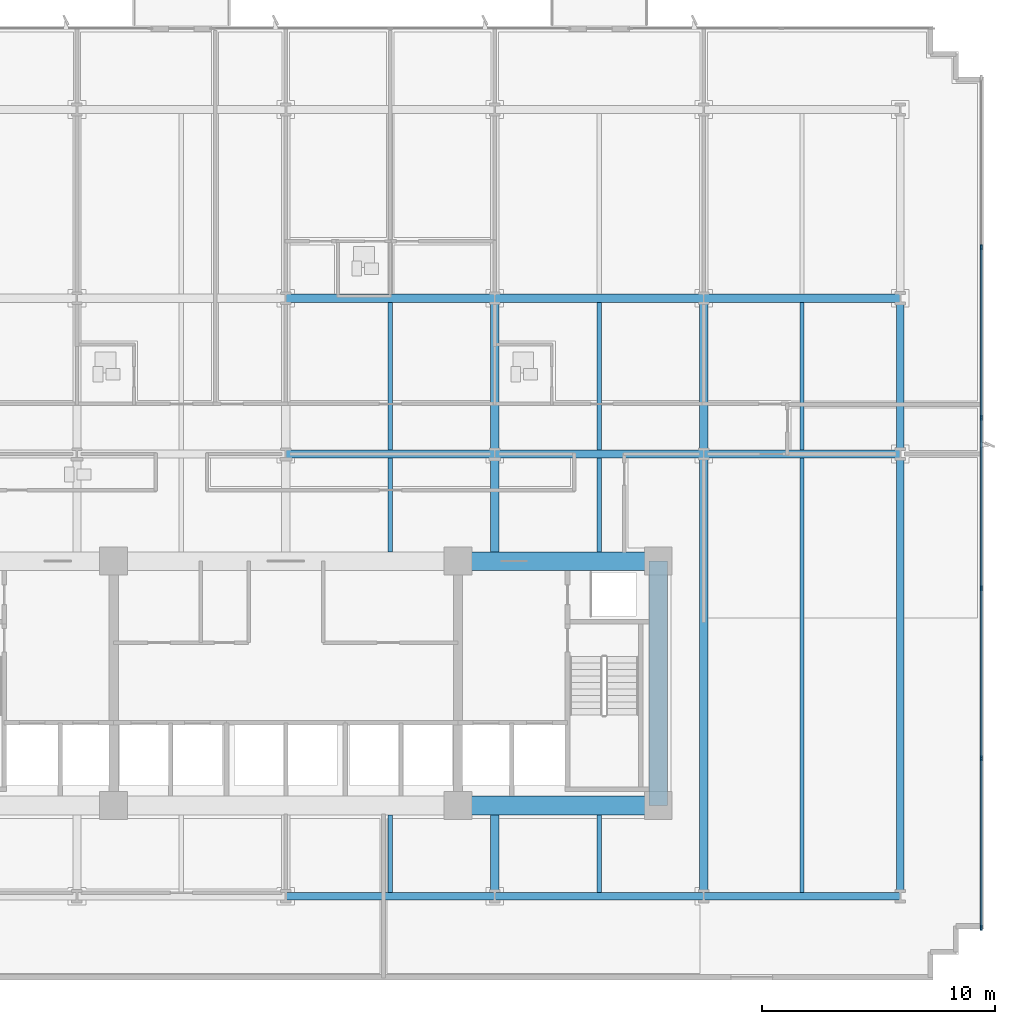
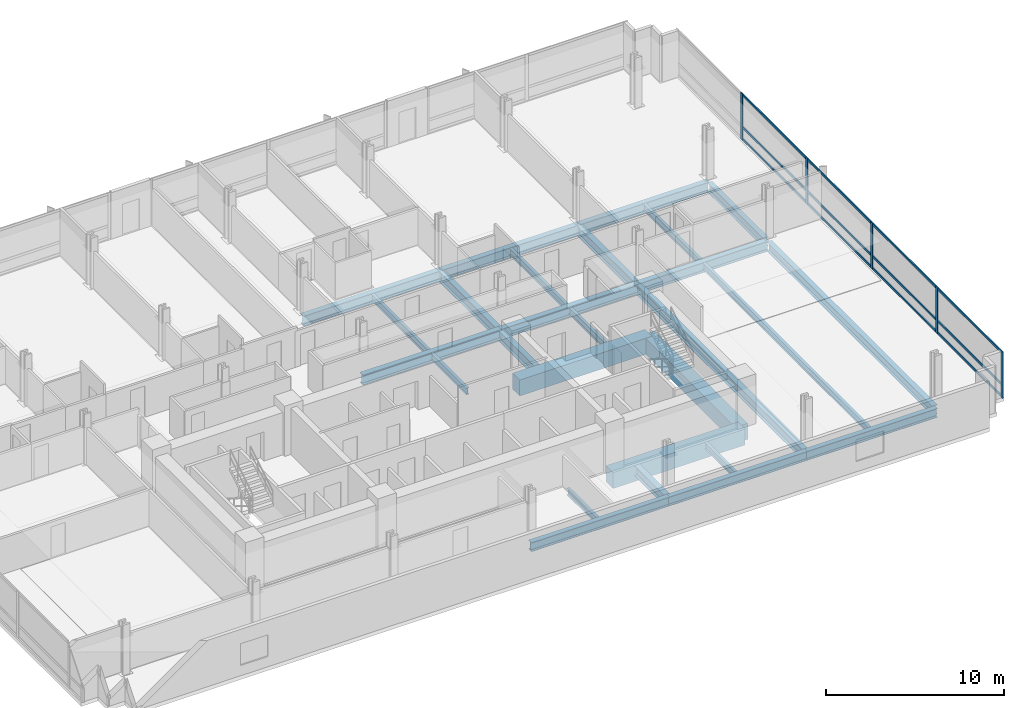
# One storey, part 4 of 15: 27 beams, 17 members, 1 element without a shape of its own.
"""IFC4 building model written with IfcOpenShell, lengths in metres."""

from ifc_helpers import new_model, si_unit, direction, frame, origin, origin_2d, place, context, subcontext, project, spatial, rectangle, i_section, extrude, material, material_profile, profile_set, type_object, element, aggregate, save


model = new_model("IFC4")

# Units and contexts
model_context = context("Model", 3, precision=1e-05, world=origin(), true_north=direction((0.0, 1.0)))
body_context = subcontext(model_context, "Body", "Model", "MODEL_VIEW")
ifc_project = project(units=[si_unit("LENGTHUNIT", "METRE"), si_unit("AREAUNIT", "SQUARE_METRE"), si_unit("VOLUMEUNIT", "CUBIC_METRE"), si_unit("PLANEANGLEUNIT", "RADIAN"), si_unit("MASSUNIT", "GRAM", prefix="KILO")], contexts=[model_context])

# Site, building, storey
site_placement = place(None, origin())
site = spatial("IfcSite", under=ifc_project, at=site_placement, CompositionType="ELEMENT")
building_placement = place(site_placement, origin())
building = spatial("IfcBuilding", under=site, at=building_placement, Name="Solmavex Isthmus Hotel", CompositionType="ELEMENT")
storey_placement = place(building_placement, frame((0.0, 0.0, 33.300048828125)))
storey = spatial("IfcBuildingStorey", under=building, at=storey_placement, Name="L08", CompositionType="ELEMENT", Elevation=33.300048828125)

# Beams
ifc_material_1 = material(Name="Steel ASTM A992 Grade 50", Category="steel")
ifc_material_profile_1 = material_profile(ifc_material_1, i_section(OverallWidth=0.354736328125, OverallDepth=0.695556640625, WebThickness=0.015380859375, FlangeThickness=0.02490234375, FilletRadius=0.017822265625, at=origin_2d()), Name="W27X146")
ifc_profile_set_1 = profile_set([ifc_material_profile_1], Name="Steel ASTM A992 Grade 50")
beam_type_1 = type_object("IfcBeamType", Name="BM-BG-W27X146", PredefinedType="BEAM", material=ifc_profile_set_1)
beam_1_placement = place(storey_placement, frame((0.0, 2.10009765625, -0.60791015625), z_axis=(1.0, 0.0, 0.0), x_axis=(0.0, 1.0, 0.0)))
element("IfcBeam", 1, at=beam_1_placement, inside=storey, type_object=beam_type_1, Name="Floor Girder L08-UG10", PredefinedType="BEAM", context=body_context, shape_type="SweptSolid", body=[
    extrude(i_section(OverallWidth=0.354736328125, OverallDepth=0.695556640625, WebThickness=0.015380859375, FlangeThickness=0.02490234375, FilletRadius=0.017822265625, at=origin_2d()), origin(), (0.0, 0.0, 1.0), 8.97607421875),
])
beam_2_placement = place(storey_placement, frame((8.97607421875, 2.10009765625, -0.60791015625), z_axis=(1.0, 0.0, 0.0), x_axis=(0.0, 1.0, 0.0)))
element("IfcBeam", 2, at=beam_2_placement, inside=storey, type_object=beam_type_1, Name="Floor Girder L08-UG11", PredefinedType="BEAM", context=body_context, shape_type="SweptSolid", body=[
    extrude(i_section(OverallWidth=0.354736328125, OverallDepth=0.695556640625, WebThickness=0.015380859375, FlangeThickness=0.02490234375, FilletRadius=0.017822265625, at=origin_2d()), origin(), (0.0, 0.0, 1.0), 8.975830078125),
])
beam_3_placement = place(storey_placement, frame((17.951904296875, 2.10009765625, -0.60791015625), z_axis=(1.0, 0.0, 0.0), x_axis=(0.0, 1.0, 0.0)))
element("IfcBeam", 3, at=beam_3_placement, inside=storey, type_object=beam_type_1, Name="Floor Girder L08-UG12", PredefinedType="BEAM", context=body_context, shape_type="SweptSolid", body=[
    extrude(i_section(OverallWidth=0.354736328125, OverallDepth=0.695556640625, WebThickness=0.015380859375, FlangeThickness=0.02490234375, FilletRadius=0.017822265625, at=origin_2d()), origin(), (0.0, 0.0, 1.0), 8.447998046875),
])
beam_4_placement = place(storey_placement, frame((0.0, 8.7880859375, -0.60791015625), z_axis=(1.0, 0.0, 0.0), x_axis=(0.0, 1.0, 0.0)))
element("IfcBeam", 4, at=beam_4_placement, inside=storey, type_object=beam_type_1, Name="Floor Girder L08-UG16", PredefinedType="BEAM", context=body_context, shape_type="SweptSolid", body=[
    extrude(i_section(OverallWidth=0.354736328125, OverallDepth=0.695556640625, WebThickness=0.015380859375, FlangeThickness=0.02490234375, FilletRadius=0.017822265625, at=origin_2d()), origin(), (0.0, 0.0, 1.0), 8.97607421875),
])
beam_5_placement = place(storey_placement, frame((8.97607421875, 8.7880859375, -0.60791015625), z_axis=(1.0, 0.0, 0.0), x_axis=(0.0, 1.0, 0.0)))
element("IfcBeam", 5, at=beam_5_placement, inside=storey, type_object=beam_type_1, Name="Floor Girder L08-UG17", PredefinedType="BEAM", context=body_context, shape_type="SweptSolid", body=[
    extrude(i_section(OverallWidth=0.354736328125, OverallDepth=0.695556640625, WebThickness=0.015380859375, FlangeThickness=0.02490234375, FilletRadius=0.017822265625, at=origin_2d()), origin(), (0.0, 0.0, 1.0), 8.975830078125),
])
beam_6_placement = place(storey_placement, frame((17.951904296875, 8.7880859375, -0.60791015625), z_axis=(1.0, 0.0, 0.0), x_axis=(0.0, 1.0, 0.0)))
element("IfcBeam", 6, at=beam_6_placement, inside=storey, type_object=beam_type_1, Name="Floor Girder L08-UG18", PredefinedType="BEAM", context=body_context, shape_type="SweptSolid", body=[
    extrude(i_section(OverallWidth=0.354736328125, OverallDepth=0.695556640625, WebThickness=0.015380859375, FlangeThickness=0.02490234375, FilletRadius=0.017822265625, at=origin_2d()), origin(), (0.0, 0.0, 1.0), 8.447998046875),
])
beam_7_placement = place(storey_placement, frame((8.97607421875, -16.73681640625, -0.60791015625), z_axis=(0.0, 1.0, 0.0), x_axis=(-1.0, 0.0, 0.0)))
element("IfcBeam", 7, at=beam_7_placement, inside=storey, type_object=beam_type_1, Name="Floor Beam L08-VG39", PredefinedType="BEAM", context=body_context, shape_type="SweptSolid", body=[
    extrude(i_section(OverallWidth=0.354736328125, OverallDepth=0.695556640625, WebThickness=0.015380859375, FlangeThickness=0.02490234375, FilletRadius=0.017822265625, at=origin_2d()), origin(), (0.0, 0.0, 1.0), 3.3369140625),
])
beam_8_placement = place(storey_placement, frame((8.97607421875, -2.10009765625, -0.60791015625), z_axis=(0.0, 1.0, 0.0), x_axis=(-1.0, 0.0, 0.0)))
element("IfcBeam", 8, at=beam_8_placement, inside=storey, type_object=beam_type_1, Name="Floor Beam L08-VG40", PredefinedType="BEAM", context=body_context, shape_type="SweptSolid", body=[
    extrude(i_section(OverallWidth=0.354736328125, OverallDepth=0.695556640625, WebThickness=0.015380859375, FlangeThickness=0.02490234375, FilletRadius=0.017822265625, at=origin_2d()), origin(), (0.0, 0.0, 1.0), 4.022705078125),
])
beam_9_placement = place(storey_placement, frame((8.97607421875, 2.27734375, -0.60791015625), z_axis=(0.0, 1.0, 0.0), x_axis=(-1.0, 0.0, 0.0)))
element("IfcBeam", 9, at=beam_9_placement, inside=storey, type_object=beam_type_1, Name="Floor Beam L08-VG41", PredefinedType="BEAM", context=body_context, shape_type="SweptSolid", body=[
    extrude(i_section(OverallWidth=0.354736328125, OverallDepth=0.695556640625, WebThickness=0.015380859375, FlangeThickness=0.02490234375, FilletRadius=0.017822265625, at=origin_2d()), origin(), (0.0, 0.0, 1.0), 6.333251953125),
])
beam_10_placement = place(storey_placement, frame((17.951904296875, -16.73681640625, -0.60791015625), z_axis=(0.0, 1.0, 0.0), x_axis=(-1.0, 0.0, 0.0)))
element("IfcBeam", 10, at=beam_10_placement, inside=storey, type_object=beam_type_1, Name="Floor Beam L08-VG43", PredefinedType="BEAM", context=body_context, shape_type="SweptSolid", body=[
    extrude(i_section(OverallWidth=0.354736328125, OverallDepth=0.695556640625, WebThickness=0.015380859375, FlangeThickness=0.02490234375, FilletRadius=0.017822265625, at=origin_2d()), origin(), (0.0, 0.0, 1.0), 18.659423828125),
])
beam_11_placement = place(storey_placement, frame((17.951904296875, 2.27734375, -0.60791015625), z_axis=(0.0, 1.0, 0.0), x_axis=(-1.0, 0.0, 0.0)))
element("IfcBeam", 11, at=beam_11_placement, inside=storey, type_object=beam_type_1, Name="Floor Beam L08-VG44", PredefinedType="BEAM", context=body_context, shape_type="SweptSolid", body=[
    extrude(i_section(OverallWidth=0.354736328125, OverallDepth=0.695556640625, WebThickness=0.015380859375, FlangeThickness=0.02490234375, FilletRadius=0.017822265625, at=origin_2d()), origin(), (0.0, 0.0, 1.0), 6.333251953125),
])
ifc_material_profile_2 = material_profile(ifc_material_1, i_section(OverallWidth=0.1904296875, OverallDepth=0.456787109375, WebThickness=0.009033203125, FlangeThickness=0.014404296875, FilletRadius=0.0126953125, at=origin_2d()), Name="W18X50")
ifc_profile_set_2 = profile_set([ifc_material_profile_2], Name="Steel ASTM A992 Grade 50")
beam_type_2 = type_object("IfcBeamType", Name="BM-BJ-W18X50", PredefinedType="JOIST", material=ifc_profile_set_2)
beam_12_placement = place(storey_placement, frame((4.488037109375, -16.73681640625, -0.488525390625), z_axis=(0.0, 1.0, 0.0), x_axis=(-1.0, 0.0, 0.0)))
element("IfcBeam", 12, at=beam_12_placement, inside=storey, type_object=beam_type_2, Name="Secondary Floor Joist L08-J12", PredefinedType="JOIST", context=body_context, shape_type="SweptSolid", body=[
    extrude(i_section(OverallWidth=0.1904296875, OverallDepth=0.456787109375, WebThickness=0.009033203125, FlangeThickness=0.014404296875, FilletRadius=0.0126953125, at=origin_2d()), origin(), (0.0, 0.0, 1.0), 3.3369140625),
])
beam_13_placement = place(storey_placement, frame((4.488037109375, -2.10009765625, -0.488525390625), z_axis=(0.0, 1.0, 0.0), x_axis=(-1.0, 0.0, 0.0)))
element("IfcBeam", 13, at=beam_13_placement, inside=storey, type_object=beam_type_2, Name="Secondary Floor Joist L08-J13", PredefinedType="JOIST", context=body_context, shape_type="SweptSolid", body=[
    extrude(i_section(OverallWidth=0.1904296875, OverallDepth=0.456787109375, WebThickness=0.009033203125, FlangeThickness=0.014404296875, FilletRadius=0.0126953125, at=origin_2d()), origin(), (0.0, 0.0, 1.0), 4.022705078125),
])
beam_14_placement = place(storey_placement, frame((4.488037109375, 2.27734375, -0.488525390625), z_axis=(0.0, 1.0, 0.0), x_axis=(-1.0, 0.0, 0.0)))
element("IfcBeam", 14, at=beam_14_placement, inside=storey, type_object=beam_type_2, Name="Secondary Floor Joist L08-J14", PredefinedType="JOIST", context=body_context, shape_type="SweptSolid", body=[
    extrude(i_section(OverallWidth=0.1904296875, OverallDepth=0.456787109375, WebThickness=0.009033203125, FlangeThickness=0.014404296875, FilletRadius=0.0126953125, at=origin_2d()), origin(), (0.0, 0.0, 1.0), 6.333251953125),
])
beam_15_placement = place(storey_placement, frame((13.464111328125, -16.73681640625, -0.488525390625), z_axis=(0.0, 1.0, 0.0), x_axis=(-1.0, 0.0, 0.0)))
element("IfcBeam", 15, at=beam_15_placement, inside=storey, type_object=beam_type_2, Name="Secondary Floor Joist L08-J16", PredefinedType="JOIST", context=body_context, shape_type="SweptSolid", body=[
    extrude(i_section(OverallWidth=0.1904296875, OverallDepth=0.456787109375, WebThickness=0.009033203125, FlangeThickness=0.014404296875, FilletRadius=0.0126953125, at=origin_2d()), origin(), (0.0, 0.0, 1.0), 3.3369140625),
])
beam_16_placement = place(storey_placement, frame((13.464111328125, -2.10009765625, -0.488525390625), z_axis=(0.0, 1.0, 0.0), x_axis=(-1.0, 0.0, 0.0)))
element("IfcBeam", 16, at=beam_16_placement, inside=storey, type_object=beam_type_2, Name="Secondary Floor Joist L08-J17", PredefinedType="JOIST", context=body_context, shape_type="SweptSolid", body=[
    extrude(i_section(OverallWidth=0.1904296875, OverallDepth=0.456787109375, WebThickness=0.009033203125, FlangeThickness=0.014404296875, FilletRadius=0.0126953125, at=origin_2d()), origin(), (0.0, 0.0, 1.0), 4.022705078125),
])
beam_17_placement = place(storey_placement, frame((13.464111328125, 2.27734375, -0.488525390625), z_axis=(0.0, 1.0, 0.0), x_axis=(-1.0, 0.0, 0.0)))
element("IfcBeam", 17, at=beam_17_placement, inside=storey, type_object=beam_type_2, Name="Secondary Floor Joist L08-J18", PredefinedType="JOIST", context=body_context, shape_type="SweptSolid", body=[
    extrude(i_section(OverallWidth=0.1904296875, OverallDepth=0.456787109375, WebThickness=0.009033203125, FlangeThickness=0.014404296875, FilletRadius=0.0126953125, at=origin_2d()), origin(), (0.0, 0.0, 1.0), 6.333251953125),
])
beam_18_placement = place(storey_placement, frame((22.176025390625, -16.73681640625, -0.488525390625), z_axis=(0.0, 1.0, 0.0), x_axis=(-1.0, 0.0, 0.0)))
element("IfcBeam", 18, at=beam_18_placement, inside=storey, type_object=beam_type_2, Name="Secondary Floor Joist L08-J20", PredefinedType="JOIST", context=body_context, shape_type="SweptSolid", body=[
    extrude(i_section(OverallWidth=0.1904296875, OverallDepth=0.456787109375, WebThickness=0.009033203125, FlangeThickness=0.014404296875, FilletRadius=0.0126953125, at=origin_2d()), origin(), (0.0, 0.0, 1.0), 18.659423828125),
])
beam_19_placement = place(storey_placement, frame((22.176025390625, 2.27734375, -0.488525390625), z_axis=(0.0, 1.0, 0.0), x_axis=(-1.0, 0.0, 0.0)))
element("IfcBeam", 19, at=beam_19_placement, inside=storey, type_object=beam_type_2, Name="Secondary Floor Joist L08-J21", PredefinedType="JOIST", context=body_context, shape_type="SweptSolid", body=[
    extrude(i_section(OverallWidth=0.1904296875, OverallDepth=0.456787109375, WebThickness=0.009033203125, FlangeThickness=0.014404296875, FilletRadius=0.0126953125, at=origin_2d()), origin(), (0.0, 0.0, 1.0), 6.333251953125),
])
ifc_material_2 = material(Name="Concrete C70/85", Category="concrete")
ifc_material_profile_3 = material_profile(ifc_material_2, rectangle(XDim=0.800048828125, YDim=1.10009765625, at=origin_2d()), Name="RC800X1100")
ifc_profile_set_3 = profile_set([ifc_material_profile_3], Name="Concrete C70/85")
beam_type_3 = type_object("IfcBeamType", Name="BM-CB-800X1100", PredefinedType="BEAM", material=ifc_profile_set_3)
for number, where, z_axis, x_axis, name in (
    (20, (7.39990234375, -13.0, -0.81005859375), (1.0, 0.0, 0.0), (0.0, 1.0, 0.0), "Core Coupling Beam L08-CB3"),
    (21, (7.39990234375, -2.5, -0.81005859375), (1.0, 0.0, 0.0), (0.0, 1.0, 0.0), "Core Coupling Beam L08-CB6"),
):
    element("IfcBeam", number, at=place(storey_placement, frame(where, z_axis=z_axis, x_axis=x_axis)), inside=storey, type_object=beam_type_3, Name=name, PredefinedType="BEAM", context=body_context, shape_type="SweptSolid", body=[
        extrude(rectangle(XDim=0.800048828125, YDim=1.10009765625, at=origin_2d()), origin(), (0.0, 0.0, 1.0), 8.60009765625),
    ])
beam_20_placement = place(storey_placement, frame((16.0, -13.0, -0.81005859375), z_axis=(0.0, 1.0, 0.0), x_axis=(-1.0, 0.0, 0.0)))
element("IfcBeam", 22, at=beam_20_placement, inside=storey, type_object=beam_type_3, Name="Core Coupling Beam L08-CB8", PredefinedType="BEAM", context=body_context, shape_type="SweptSolid", body=[
    extrude(rectangle(XDim=0.800048828125, YDim=1.10009765625, at=origin_2d()), origin(), (0.0, 0.0, 1.0), 10.5),
])
ifc_material_profile_4 = material_profile(ifc_material_1, i_section(OverallWidth=0.326416015625, OverallDepth=0.621826171875, WebThickness=0.015380859375, FlangeThickness=0.0244140625, FilletRadius=0.01513671875, at=origin_2d()), Name="W24X131")
ifc_profile_set_4 = profile_set([ifc_material_profile_4], Name="Steel ASTM A992 Grade 50")
beam_type_4 = type_object("IfcBeamType", Name="BM-SP-W24X131", PredefinedType="SPANDREL", material=ifc_profile_set_4)
beam_21_placement = place(storey_placement, frame((0.0, -16.89990234375, -0.571044921875), z_axis=(1.0, 0.0, 0.0), x_axis=(0.0, 1.0, 0.0)))
element("IfcBeam", 23, at=beam_21_placement, inside=storey, type_object=beam_type_4, Name="Floor Girder L08-UG04", PredefinedType="SPANDREL", context=body_context, shape_type="SweptSolid", body=[
    extrude(i_section(OverallWidth=0.326416015625, OverallDepth=0.621826171875, WebThickness=0.015380859375, FlangeThickness=0.0244140625, FilletRadius=0.01513671875, at=origin_2d()), origin(), (0.0, 0.0, 1.0), 8.97607421875),
])
beam_22_placement = place(storey_placement, frame((8.97607421875, -16.89990234375, -0.571044921875), z_axis=(1.0, 0.0, 0.0), x_axis=(0.0, 1.0, 0.0)))
element("IfcBeam", 24, at=beam_22_placement, inside=storey, type_object=beam_type_4, Name="Floor Girder L08-UG05", PredefinedType="SPANDREL", context=body_context, shape_type="SweptSolid", body=[
    extrude(i_section(OverallWidth=0.326416015625, OverallDepth=0.621826171875, WebThickness=0.015380859375, FlangeThickness=0.0244140625, FilletRadius=0.01513671875, at=origin_2d()), origin(), (0.0, 0.0, 1.0), 8.975830078125),
])
beam_23_placement = place(storey_placement, frame((17.951904296875, -16.89990234375, -0.571044921875), z_axis=(1.0, 0.0, 0.0), x_axis=(0.0, 1.0, 0.0)))
element("IfcBeam", 25, at=beam_23_placement, inside=storey, type_object=beam_type_4, Name="Floor Girder L08-UG06", PredefinedType="SPANDREL", context=body_context, shape_type="SweptSolid", body=[
    extrude(i_section(OverallWidth=0.326416015625, OverallDepth=0.621826171875, WebThickness=0.015380859375, FlangeThickness=0.0244140625, FilletRadius=0.01513671875, at=origin_2d()), origin(), (0.0, 0.0, 1.0), 8.447998046875),
])
beam_24_placement = place(storey_placement, frame((26.39990234375, -16.73681640625, -0.571044921875), z_axis=(0.0, 1.0, 0.0), x_axis=(-1.0, 0.0, 0.0)))
element("IfcBeam", 26, at=beam_24_placement, inside=storey, type_object=beam_type_4, Name="Floor Beam L08-VG46", PredefinedType="SPANDREL", context=body_context, shape_type="SweptSolid", body=[
    extrude(i_section(OverallWidth=0.326416015625, OverallDepth=0.621826171875, WebThickness=0.015380859375, FlangeThickness=0.0244140625, FilletRadius=0.01513671875, at=origin_2d()), origin(), (0.0, 0.0, 1.0), 18.659423828125),
])
beam_25_placement = place(storey_placement, frame((26.39990234375, 2.27734375, -0.571044921875), z_axis=(0.0, 1.0, 0.0), x_axis=(-1.0, 0.0, 0.0)))
element("IfcBeam", 27, at=beam_25_placement, inside=storey, type_object=beam_type_4, Name="Floor Beam L08-VG47", PredefinedType="SPANDREL", context=body_context, shape_type="SweptSolid", body=[
    extrude(i_section(OverallWidth=0.326416015625, OverallDepth=0.621826171875, WebThickness=0.015380859375, FlangeThickness=0.0244140625, FilletRadius=0.01513671875, at=origin_2d()), origin(), (0.0, 0.0, 1.0), 6.333251953125),
])

# Curtain wall, members
ifc_material_3 = material(Name="Aluminium alloy 6063-T6", Category="aluminium")
curtain_wall_type = type_object("IfcCurtainWallType", Name="CW-SYS-02", PredefinedType="NOTDEFINED", material=ifc_material_3)
curtain_wall_placement = place(storey_placement, origin())
curtain_wall = element("IfcCurtainWall", 28, at=curtain_wall_placement, inside=storey, type_object=curtain_wall_type, Name="Stick Curtain Wall CWL-L08-E1", PredefinedType="NOTDEFINED")
ifc_material_profile_5 = material_profile(ifc_material_3, rectangle(XDim=0.074951171875, YDim=0.219970703125, at=origin_2d()), Name="CWM-75X220")
ifc_profile_set_5 = profile_set([ifc_material_profile_5], Name="Aluminium alloy 6063-T6")
member_type_1 = type_object("IfcMemberType", Name="CW-SYS-02-MUL", PredefinedType="MULLION", material=ifc_profile_set_5)
member_1_placement = place(storey_placement, frame((29.8798828125, -18.262451171875, 0.0), z_axis=(0.0, 0.0, 1.0), x_axis=(-1.0, 0.0, 0.0)))
member_1 = element("IfcMember", 29, at=member_1_placement, type_object=member_type_1, Name="CW-02 mullion 1", PredefinedType="MULLION", context=body_context, shape_type="SweptSolid", body=[
    extrude(rectangle(XDim=0.074951171875, YDim=0.219970703125, at=origin_2d()), origin(), (0.0, 0.0, 1.0), 3.18994140625),
])
member_2_placement = place(storey_placement, frame((29.8798828125, -10.97998046875, 0.0), z_axis=(0.0, 0.0, 1.0), x_axis=(-1.0, 0.0, 0.0)))
member_2 = element("IfcMember", 30, at=member_2_placement, type_object=member_type_1, Name="CW-02 mullion 2", PredefinedType="MULLION", context=body_context, shape_type="SweptSolid", body=[
    extrude(rectangle(XDim=0.074951171875, YDim=0.219970703125, at=origin_2d()), origin(), (0.0, 0.0, 1.0), 3.18994140625),
])
member_3_placement = place(storey_placement, frame((29.8798828125, -3.659912109375, 0.0), z_axis=(0.0, 0.0, 1.0), x_axis=(-1.0, 0.0, 0.0)))
member_3 = element("IfcMember", 31, at=member_3_placement, type_object=member_type_1, Name="CW-02 mullion 3", PredefinedType="MULLION", context=body_context, shape_type="SweptSolid", body=[
    extrude(rectangle(XDim=0.074951171875, YDim=0.219970703125, at=origin_2d()), origin(), (0.0, 0.0, 1.0), 3.18994140625),
])
member_4_placement = place(storey_placement, frame((29.8798828125, 3.659912109375, 0.0), z_axis=(0.0, 0.0, 1.0), x_axis=(-1.0, 0.0, 0.0)))
member_4 = element("IfcMember", 32, at=member_4_placement, type_object=member_type_1, Name="CW-02 mullion 4", PredefinedType="MULLION", context=body_context, shape_type="SweptSolid", body=[
    extrude(rectangle(XDim=0.074951171875, YDim=0.219970703125, at=origin_2d()), origin(), (0.0, 0.0, 1.0), 3.18994140625),
])
member_5_placement = place(storey_placement, frame((29.8798828125, 10.97998046875, 0.0), z_axis=(0.0, 0.0, 1.0), x_axis=(-1.0, 0.0, 0.0)))
member_5 = element("IfcMember", 33, at=member_5_placement, type_object=member_type_1, Name="CW-02 mullion 5", PredefinedType="MULLION", context=body_context, shape_type="SweptSolid", body=[
    extrude(rectangle(XDim=0.074951171875, YDim=0.219970703125, at=origin_2d()), origin(), (0.0, 0.0, 1.0), 3.18994140625),
])
ifc_material_profile_6 = material_profile(ifc_material_3, rectangle(XDim=0.074951171875, YDim=0.159912109375, at=origin_2d()), Name="CWT-75X160")
ifc_profile_set_6 = profile_set([ifc_material_profile_6], Name="Aluminium alloy 6063-T6")
member_type_2 = type_object("IfcMemberType", Name="CW-SYS-02-TRN", PredefinedType="USERDEFINED", material=ifc_profile_set_6)
member_6_placement = place(storey_placement, frame((29.8798828125, -18.22509765625, 0.079833984375), z_axis=(0.0, 1.0, 0.0), x_axis=(-1.0, 0.0, 0.0)))
member_6 = element("IfcMember", 34, at=member_6_placement, type_object=member_type_2, Name="CW-02 transom 1.1", ObjectType="TRANSOM", PredefinedType="USERDEFINED", context=body_context, shape_type="SweptSolid", body=[
    extrude(rectangle(XDim=0.074951171875, YDim=0.159912109375, at=origin_2d()), origin(), (0.0, 0.0, 1.0), 7.20751953125),
])
member_7_placement = place(storey_placement, frame((29.8798828125, -18.22509765625, 0.89990234375), z_axis=(0.0, 1.0, 0.0), x_axis=(-1.0, 0.0, 0.0)))
member_7 = element("IfcMember", 35, at=member_7_placement, type_object=member_type_2, Name="CW-02 transom 1.2", ObjectType="TRANSOM", PredefinedType="USERDEFINED", context=body_context, shape_type="SweptSolid", body=[
    extrude(rectangle(XDim=0.074951171875, YDim=0.159912109375, at=origin_2d()), origin(), (0.0, 0.0, 1.0), 7.20751953125),
])
member_8_placement = place(storey_placement, frame((29.8798828125, -18.22509765625, 3.10986328125), z_axis=(0.0, 1.0, 0.0), x_axis=(-1.0, 0.0, 0.0)))
member_8 = element("IfcMember", 36, at=member_8_placement, type_object=member_type_2, Name="CW-02 transom 1.3", ObjectType="TRANSOM", PredefinedType="USERDEFINED", context=body_context, shape_type="SweptSolid", body=[
    extrude(rectangle(XDim=0.074951171875, YDim=0.159912109375, at=origin_2d()), origin(), (0.0, 0.0, 1.0), 7.20751953125),
])
member_9_placement = place(storey_placement, frame((29.8798828125, -10.9423828125, 0.079833984375), z_axis=(0.0, 1.0, 0.0), x_axis=(-1.0, 0.0, 0.0)))
member_9 = element("IfcMember", 37, at=member_9_placement, type_object=member_type_2, Name="CW-02 transom 2.1", ObjectType="TRANSOM", PredefinedType="USERDEFINED", context=body_context, shape_type="SweptSolid", body=[
    extrude(rectangle(XDim=0.074951171875, YDim=0.159912109375, at=origin_2d()), origin(), (0.0, 0.0, 1.0), 7.244873046875),
])
member_10_placement = place(storey_placement, frame((29.8798828125, -10.9423828125, 0.89990234375), z_axis=(0.0, 1.0, 0.0), x_axis=(-1.0, 0.0, 0.0)))
member_10 = element("IfcMember", 38, at=member_10_placement, type_object=member_type_2, Name="CW-02 transom 2.2", ObjectType="TRANSOM", PredefinedType="USERDEFINED", context=body_context, shape_type="SweptSolid", body=[
    extrude(rectangle(XDim=0.074951171875, YDim=0.159912109375, at=origin_2d()), origin(), (0.0, 0.0, 1.0), 7.244873046875),
])
member_11_placement = place(storey_placement, frame((29.8798828125, -10.9423828125, 3.10986328125), z_axis=(0.0, 1.0, 0.0), x_axis=(-1.0, 0.0, 0.0)))
member_11 = element("IfcMember", 39, at=member_11_placement, type_object=member_type_2, Name="CW-02 transom 2.3", ObjectType="TRANSOM", PredefinedType="USERDEFINED", context=body_context, shape_type="SweptSolid", body=[
    extrude(rectangle(XDim=0.074951171875, YDim=0.159912109375, at=origin_2d()), origin(), (0.0, 0.0, 1.0), 7.244873046875),
])
member_12_placement = place(storey_placement, frame((29.8798828125, -3.62255859375, 0.079833984375), z_axis=(0.0, 1.0, 0.0), x_axis=(-1.0, 0.0, 0.0)))
member_12 = element("IfcMember", 40, at=member_12_placement, type_object=member_type_2, Name="CW-02 transom 3.1", ObjectType="TRANSOM", PredefinedType="USERDEFINED", context=body_context, shape_type="SweptSolid", body=[
    extrude(rectangle(XDim=0.074951171875, YDim=0.159912109375, at=origin_2d()), origin(), (0.0, 0.0, 1.0), 7.2451171875),
])
member_13_placement = place(storey_placement, frame((29.8798828125, -3.62255859375, 0.89990234375), z_axis=(0.0, 1.0, 0.0), x_axis=(-1.0, 0.0, 0.0)))
member_13 = element("IfcMember", 41, at=member_13_placement, type_object=member_type_2, Name="CW-02 transom 3.2", ObjectType="TRANSOM", PredefinedType="USERDEFINED", context=body_context, shape_type="SweptSolid", body=[
    extrude(rectangle(XDim=0.074951171875, YDim=0.159912109375, at=origin_2d()), origin(), (0.0, 0.0, 1.0), 7.2451171875),
])
member_14_placement = place(storey_placement, frame((29.8798828125, -3.62255859375, 3.10986328125), z_axis=(0.0, 1.0, 0.0), x_axis=(-1.0, 0.0, 0.0)))
member_14 = element("IfcMember", 42, at=member_14_placement, type_object=member_type_2, Name="CW-02 transom 3.3", ObjectType="TRANSOM", PredefinedType="USERDEFINED", context=body_context, shape_type="SweptSolid", body=[
    extrude(rectangle(XDim=0.074951171875, YDim=0.159912109375, at=origin_2d()), origin(), (0.0, 0.0, 1.0), 7.2451171875),
])
member_15_placement = place(storey_placement, frame((29.8798828125, 3.697509765625, 0.079833984375), z_axis=(0.0, 1.0, 0.0), x_axis=(-1.0, 0.0, 0.0)))
member_15 = element("IfcMember", 43, at=member_15_placement, type_object=member_type_2, Name="CW-02 transom 4.1", ObjectType="TRANSOM", PredefinedType="USERDEFINED", context=body_context, shape_type="SweptSolid", body=[
    extrude(rectangle(XDim=0.074951171875, YDim=0.159912109375, at=origin_2d()), origin(), (0.0, 0.0, 1.0), 7.244873046875),
])
member_16_placement = place(storey_placement, frame((29.8798828125, 3.697509765625, 0.89990234375), z_axis=(0.0, 1.0, 0.0), x_axis=(-1.0, 0.0, 0.0)))
member_16 = element("IfcMember", 44, at=member_16_placement, type_object=member_type_2, Name="CW-02 transom 4.2", ObjectType="TRANSOM", PredefinedType="USERDEFINED", context=body_context, shape_type="SweptSolid", body=[
    extrude(rectangle(XDim=0.074951171875, YDim=0.159912109375, at=origin_2d()), origin(), (0.0, 0.0, 1.0), 7.244873046875),
])
member_17_placement = place(storey_placement, frame((29.8798828125, 3.697509765625, 3.10986328125), z_axis=(0.0, 1.0, 0.0), x_axis=(-1.0, 0.0, 0.0)))
member_17 = element("IfcMember", 45, at=member_17_placement, type_object=member_type_2, Name="CW-02 transom 4.3", ObjectType="TRANSOM", PredefinedType="USERDEFINED", context=body_context, shape_type="SweptSolid", body=[
    extrude(rectangle(XDim=0.074951171875, YDim=0.159912109375, at=origin_2d()), origin(), (0.0, 0.0, 1.0), 7.244873046875),
])
aggregate(curtain_wall, [member_1, member_2, member_3, member_4, member_5, member_6, member_7, member_8, member_9, member_10, member_11, member_12, member_13, member_14, member_15, member_16, member_17])

save(model, "model.ifc")
